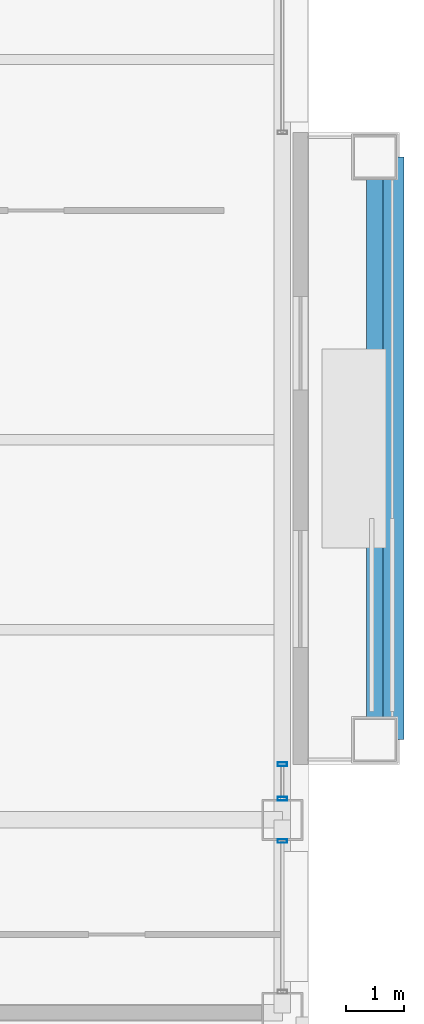
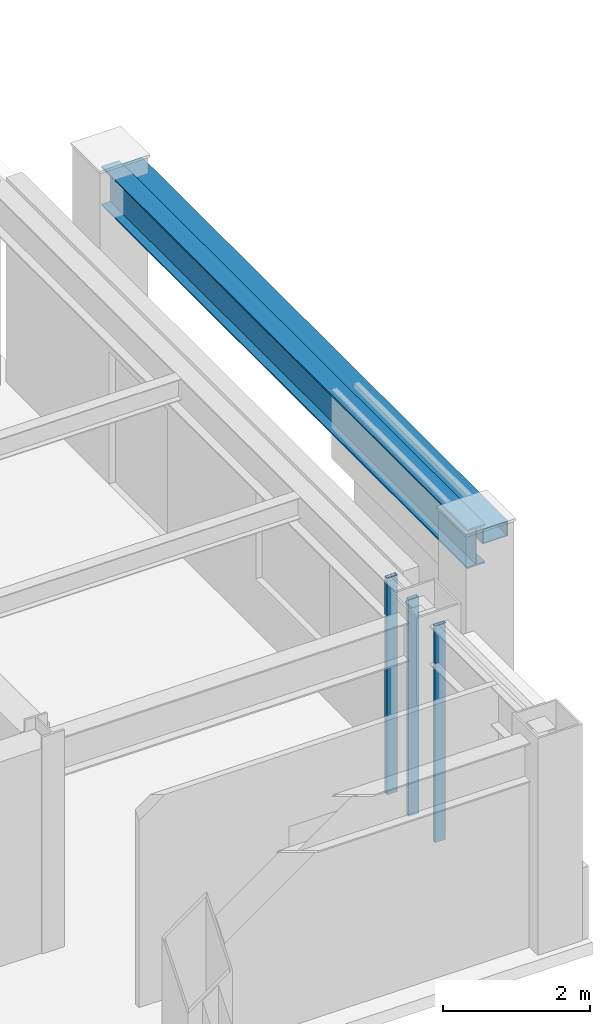
# One storey, part 14 of 29: 4 members, 1 beam, 2 elements without a shape of their own.
"""IFC4 building model written with IfcOpenShell, lengths in metres."""

from ifc_helpers import new_model, si_unit, direction, frame, origin, origin_2d, place, context, subcontext, project, spatial, hollow_rectangle, i_section, extrude, material, layer, layer_set, material_profile, profile_set, type_object, element, aggregate, save


model = new_model("IFC4")

# Units and contexts
model_context = context("Model", 3, precision=1e-05, world=origin(), true_north=direction((0.0, 1.0)))
body_context = subcontext(model_context, "Body", "Model", "MODEL_VIEW")
ifc_project = project(units=[si_unit("LENGTHUNIT", "METRE"), si_unit("AREAUNIT", "SQUARE_METRE"), si_unit("VOLUMEUNIT", "CUBIC_METRE"), si_unit("PLANEANGLEUNIT", "RADIAN"), si_unit("MASSUNIT", "GRAM", prefix="KILO")], contexts=[model_context])

# Site, building, storey
site_placement = place(None, origin())
site = spatial("IfcSite", under=ifc_project, at=site_placement, CompositionType="ELEMENT")
building_placement = place(site_placement, origin())
building = spatial("IfcBuilding", under=site, at=building_placement, Name="Brelmoor Portico Tower", CompositionType="ELEMENT")
storey_placement = place(building_placement, frame((0.0, 0.0, 201.89990234375)))
storey = spatial("IfcBuildingStorey", under=building, at=storey_placement, Name="L53", CompositionType="ELEMENT", Elevation=201.89990234375)

# Beam
ifc_material_1 = material(Name="Steel Q355B", Category="steel")
ifc_material_profile_1 = material_profile(ifc_material_1, i_section(OverallWidth=0.280029296875, OverallDepth=0.64990234375, WebThickness=0.012939453125, FlangeThickness=0.02197265625, at=origin_2d()), Name="HN 650x280x13x22")
ifc_profile_set_1 = profile_set([ifc_material_profile_1], Name="Steel Q355B")
beam_type = type_object("IfcBeamType", Name="BM-SP-650", PredefinedType="SPANDREL", material=ifc_profile_set_1)
beam_placement = place(storey_placement, frame((22.1298828125, -8.3798828125, 3.0751953125), z_axis=(0.0, 1.0, 0.0), x_axis=(-1.0, 0.0, 0.0)))
element("IfcBeam", 1, at=beam_placement, inside=storey, type_object=beam_type, Name="L53 Picture-Frame Perimeter Lintel Beam E1", PredefinedType="SPANDREL", context=body_context, shape_type="SweptSolid", body=[
    extrude(i_section(OverallWidth=0.280029296875, OverallDepth=0.64990234375, WebThickness=0.012939453125, FlangeThickness=0.02197265625, at=origin_2d()), origin(), (0.0, 0.0, 1.0), 9.9599609375),
])

# Curtain wall, member
ifc_material_2 = material(Name="Anodised Aluminium Alloy 6063-T6", Category="aluminium")
ifc_layer_1 = layer(ifc_material_2, 0.179931640625)
ifc_layer_set_1 = layer_set([ifc_layer_1], Name="Anodised Aluminium Alloy 6063-T6")
curtain_wall_type_1 = type_object("IfcCurtainWallType", Name="CW-TOWER-Z3-XB", PredefinedType="NOTDEFINED", material=ifc_layer_set_1)
curtain_wall_1_placement = place(storey_placement, origin())
curtain_wall_1 = element("IfcCurtainWall", 2, at=curtain_wall_1_placement, inside=storey, type_object=curtain_wall_type_1, Name="L53 Curtain Wall CW-L53-4L-1", PredefinedType="NOTDEFINED")
ifc_material_profile_2 = material_profile(ifc_material_2, hollow_rectangle(XDim=0.06494140625, YDim=0.1650390625, WallThickness=0.00390625, at=origin_2d()), Name="ALU MULLION 65x165")
ifc_profile_set_2 = profile_set([ifc_material_profile_2], Name="Anodised Aluminium Alloy 6063-T6")
member_type_1 = type_object("IfcMemberType", Name="MB-CW-MULL-165", PredefinedType="MULLION", material=ifc_profile_set_2)
member_1_placement = place(storey_placement, frame((20.550048828125, -10.110107421875, -0.199951171875), z_axis=(0.0, 0.0, 1.0), x_axis=(0.0, 1.0, 0.0)))
member_1 = element("IfcMember", 3, at=member_1_placement, type_object=member_type_1, Name="CW-L53-4L-1 Mullion 01", PredefinedType="MULLION", context=body_context, shape_type="SweptSolid", body=[
    extrude(hollow_rectangle(XDim=0.06494140625, YDim=0.1650390625, WallThickness=0.00390625, at=origin_2d()), origin(), (0.0, 0.0, 1.0), 3.60009765625),
])
aggregate(curtain_wall_1, [member_1])

# Curtain wall, members
ifc_layer_2 = layer(ifc_material_2, 0.179931640625)
ifc_layer_set_2 = layer_set([ifc_layer_2], Name="Anodised Aluminium Alloy 6063-T6")
curtain_wall_type_2 = type_object("IfcCurtainWallType", Name="CW-TOWER-Z3", PredefinedType="NOTDEFINED", material=ifc_layer_set_2)
curtain_wall_2_placement = place(storey_placement, origin())
curtain_wall_2 = element("IfcCurtainWall", 4, at=curtain_wall_2_placement, inside=storey, type_object=curtain_wall_type_2, Name="L53 Curtain Wall CW-L53-4L-2", PredefinedType="NOTDEFINED")
member_2_placement = place(storey_placement, frame((20.550048828125, -9.389892578125, -0.199951171875), z_axis=(0.0, 0.0, 1.0), x_axis=(0.0, 1.0, 0.0)))
member_2 = element("IfcMember", 5, at=member_2_placement, type_object=member_type_1, Name="CW-L53-4L-2 Mullion 00", PredefinedType="MULLION", context=body_context, shape_type="SweptSolid", body=[
    extrude(hollow_rectangle(XDim=0.06494140625, YDim=0.1650390625, WallThickness=0.00390625, at=origin_2d()), origin(), (0.0, 0.0, 1.0), 3.60009765625),
])
member_3_placement = place(storey_placement, frame((20.550048828125, -8.800048828125, -0.199951171875), z_axis=(0.0, 0.0, 1.0), x_axis=(0.0, 1.0, 0.0)))
member_3 = element("IfcMember", 6, at=member_3_placement, type_object=member_type_1, Name="CW-L53-4L-2 Mullion 01", PredefinedType="MULLION", context=body_context, shape_type="SweptSolid", body=[
    extrude(hollow_rectangle(XDim=0.06494140625, YDim=0.1650390625, WallThickness=0.00390625, at=origin_2d()), origin(), (0.0, 0.0, 1.0), 3.60009765625),
])
aggregate(curtain_wall_2, [member_2, member_3])

# Member
ifc_material_3 = material(Name="Pale Champagne Fluoropolymer-Coated Steel Q355B", Category="steel")
ifc_material_profile_3 = material_profile(ifc_material_3, hollow_rectangle(XDim=0.25, YDim=0.39990234375, WallThickness=0.013916015625, at=origin_2d()), Name="RHS 250x400x14")
ifc_profile_set_3 = profile_set([ifc_material_profile_3], Name="Pale Champagne Fluoropolymer-Coated Steel Q355B")
member_type_2 = type_object("IfcMemberType", Name="MB-PF-HEADER", PredefinedType="MEMBER", material=ifc_profile_set_3)
member_4_placement = place(storey_placement, frame((22.429931640625, -8.3798828125, 3.2001953125), z_axis=(0.0, 1.0, 0.0), x_axis=(0.0, 0.0, 1.0)))
element("IfcMember", 7, at=member_4_placement, inside=storey, type_object=member_type_2, Name="L53 Picture-Frame Header E", PredefinedType="MEMBER", context=body_context, shape_type="SweptSolid", body=[
    extrude(hollow_rectangle(XDim=0.25, YDim=0.39990234375, WallThickness=0.013916015625, at=origin_2d()), origin(), (0.0, 0.0, 1.0), 9.9599609375),
])

save(model, "model.ifc")
